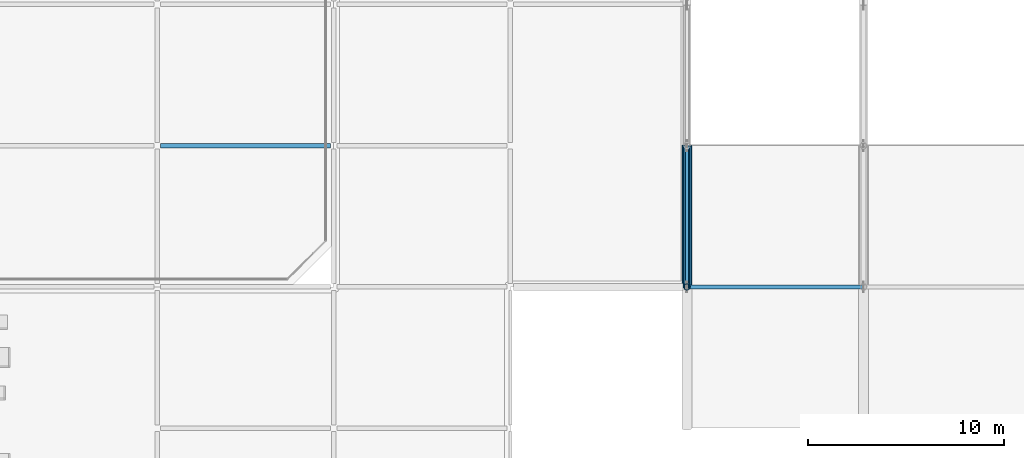
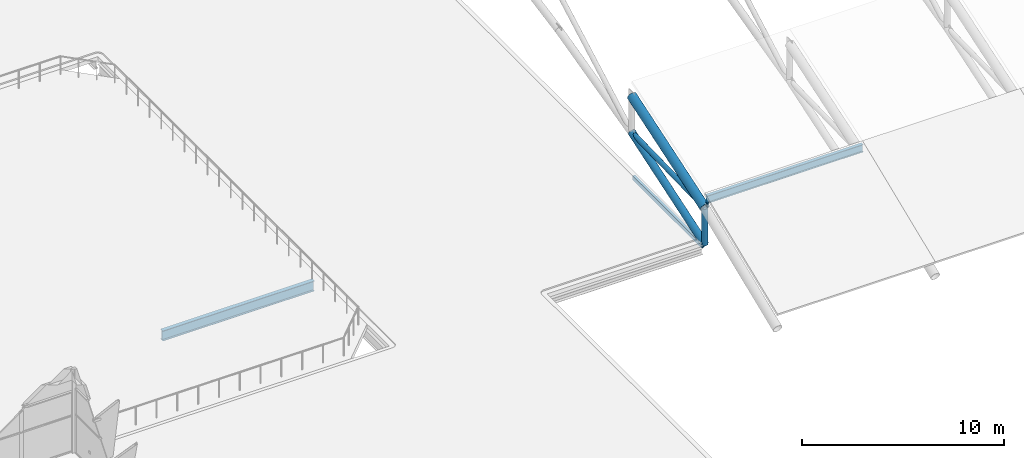
# One storey, part 44 of 78: 5 members, 2 beams.
"""IFC4 building model written with IfcOpenShell, lengths in metres."""

from ifc_helpers import new_model, si_unit, direction, frame, origin, origin_2d, place, context, subcontext, project, spatial, hollow_rectangle, hollow_circle, i_section, extrude, material, material_profile, profile_set, type_object, element, save


model = new_model("IFC4")

# Units and contexts
model_context = context("Model", 3, precision=1e-05, world=origin(), true_north=direction((0.0, 1.0)))
body_context = subcontext(model_context, "Body", "Model", "MODEL_VIEW")
ifc_project = project(units=[si_unit("LENGTHUNIT", "METRE"), si_unit("AREAUNIT", "SQUARE_METRE"), si_unit("VOLUMEUNIT", "CUBIC_METRE"), si_unit("PLANEANGLEUNIT", "RADIAN"), si_unit("MASSUNIT", "GRAM", prefix="KILO")], contexts=[model_context])

# Site, building, storey
site_placement = place(None, origin())
site = spatial("IfcSite", under=ifc_project, at=site_placement, CompositionType="ELEMENT")
building_placement = place(site_placement, origin())
building = spatial("IfcBuilding", under=site, at=building_placement, Name="Celestram Park Convention Centre", CompositionType="ELEMENT")
storey_placement = place(building_placement, frame((0.0, 0.0, 19.800048828125)))
storey = spatial("IfcBuildingStorey", under=building, at=storey_placement, Name="L04", CompositionType="ELEMENT", Elevation=19.800048828125)

# Beam
ifc_material_1 = material(Name="Steel ASTM A992 Grade 50", Category="steel")
ifc_material_profile_1 = material_profile(ifc_material_1, i_section(OverallWidth=0.22900390625, OverallDepth=0.612060546875, WebThickness=0.011962890625, FlangeThickness=0.01953125, at=origin_2d()), Name="W24X84")
ifc_profile_set_1 = profile_set([ifc_material_profile_1], Name="Steel ASTM A992 Grade 50")
beam_type_1 = type_object("IfcBeamType", Name="STR-BM-W24X84", PredefinedType="BEAM", material=ifc_profile_set_1)
beam_1_placement = place(storey_placement, frame((126.173095703125, 129.60009765625, -0.60595703125), z_axis=(1.0, 0.0, 0.0), x_axis=(0.0, 1.0, 0.0)))
element("IfcBeam", 1, at=beam_1_placement, inside=storey, type_object=beam_type_1, Name="Primary X-girder BG-L04-0168", PredefinedType="BEAM", context=body_context, shape_type="SweptSolid", body=[
    extrude(i_section(OverallWidth=0.22900390625, OverallDepth=0.612060546875, WebThickness=0.011962890625, FlangeThickness=0.01953125, at=origin_2d()), origin(), (0.0, 0.0, 1.0), 8.65380859375),
])

# Members
ifc_material_2 = material(Name="Steel ASTM A500 Grade C", Category="steel")
ifc_material_profile_2 = material_profile(ifc_material_2, hollow_circle(Radius=0.136474609375, WallThickness=0.010009765625, at=origin_2d()), Name="CHS273X10")
ifc_profile_set_2 = profile_set([ifc_material_profile_2], Name="Steel ASTM A500 Grade C")
member_type_1 = type_object("IfcMemberType", Name="STR-BRC-CHS273", PredefinedType="BRACE", material=ifc_profile_set_2)
member_1_placement = place(storey_placement, frame((153.0, 122.39990234375, 2.058837890625), z_axis=(0.0, 0.999715212241, 0.023864082104), x_axis=(-1.0, 0.0, 0.0)))
element("IfcMember", 2, at=member_1_placement, inside=storey, type_object=member_type_1, Name="V2 arch web diagonal", PredefinedType="BRACE", context=body_context, shape_type="SweptSolid", body=[
    extrude(hollow_circle(Radius=0.136474609375, WallThickness=0.010009765625, at=origin_2d()), origin(), (0.0, 0.0, 1.0), 7.2021484375),
])
ifc_material_profile_3 = material_profile(ifc_material_2, hollow_circle(Radius=0.202880859375, WallThickness=0.013916015625, at=origin_2d()), Name="CHS406X14")
ifc_profile_set_3 = profile_set([ifc_material_profile_3], Name="Steel ASTM A500 Grade C")
member_type_2 = type_object("IfcMemberType", Name="STR-CHD-CHS406", PredefinedType="CHORD", material=ifc_profile_set_3)
member_2_placement = place(storey_placement, frame((153.0, 122.39990234375, -0.14111328125), z_axis=(0.0, 0.94979489364, 0.312873233138), x_axis=(-1.0, 0.0, 0.0)))
element("IfcMember", 3, at=member_2_placement, inside=storey, type_object=member_type_2, Name="V2 arch bottom chord", PredefinedType="CHORD", context=body_context, shape_type="SweptSolid", body=[
    extrude(hollow_circle(Radius=0.202880859375, WallThickness=0.013916015625, at=origin_2d()), origin(), (0.0, 0.0, 1.0), 7.580810546875),
])
ifc_material_profile_4 = material_profile(ifc_material_2, hollow_circle(Radius=0.25390625, WallThickness=0.01611328125, at=origin_2d()), Name="CHS508X16")
ifc_profile_set_4 = profile_set([ifc_material_profile_4], Name="Steel ASTM A500 Grade C")
member_type_3 = type_object("IfcMemberType", Name="STR-CHD-CHS508", PredefinedType="CHORD", material=ifc_profile_set_4)
member_3_placement = place(storey_placement, frame((153.0, 122.39990234375, 2.058837890625), z_axis=(0.0, 0.94979489364, 0.312873233138), x_axis=(-1.0, 0.0, 0.0)))
element("IfcMember", 4, at=member_3_placement, inside=storey, type_object=member_type_3, Name="V2 arch top chord", PredefinedType="CHORD", context=body_context, shape_type="SweptSolid", body=[
    extrude(hollow_circle(Radius=0.25390625, WallThickness=0.01611328125, at=origin_2d()), origin(), (0.0, 0.0, 1.0), 7.580810546875),
])
ifc_material_profile_5 = material_profile(ifc_material_1, i_section(OverallWidth=0.19091796875, OverallDepth=0.45703125, WebThickness=0.009033203125, FlangeThickness=0.014404296875, at=origin_2d()), Name="W18X50")
ifc_profile_set_5 = profile_set([ifc_material_profile_5], Name="Steel ASTM A992 Grade 50")
member_type_4 = type_object("IfcMemberType", Name="STR-RFT-W18X50", PredefinedType="RAFTER", material=ifc_profile_set_5)
member_4_placement = place(storey_placement, frame((153.080078125, 122.39990234375, 2.541259765625), z_axis=(1.0, 0.0, 0.0), x_axis=(0.0, 1.0, 0.0)))
element("IfcMember", 5, at=member_4_placement, inside=storey, type_object=member_type_4, Name="V2 roof purlin", PredefinedType="RAFTER", context=body_context, shape_type="SweptSolid", body=[
    extrude(i_section(OverallWidth=0.19091796875, OverallDepth=0.45703125, WebThickness=0.009033203125, FlangeThickness=0.014404296875, at=origin_2d()), origin(), (0.0, 0.0, 1.0), 8.919921875),
])

# Beam
ifc_material_profile_6 = material_profile(ifc_material_2, hollow_rectangle(XDim=0.14990234375, YDim=0.25, WallThickness=0.010009765625, at=origin_2d()), Name="HSS250X150X10")
ifc_profile_set_6 = profile_set([ifc_material_profile_6], Name="Steel ASTM A500 Grade C")
beam_type_2 = type_object("IfcBeamType", Name="STR-SPN-HSS250X150", PredefinedType="SPANDREL", material=ifc_profile_set_6)
beam_2_placement = place(storey_placement, frame((153.0, 122.597900390625, -0.364990234375), z_axis=(0.0, 1.0, 0.0), x_axis=(-1.0, 0.0, 0.0)))
element("IfcBeam", 6, at=beam_2_placement, inside=storey, type_object=beam_type_2, Name="Primary Y-girder BG-L04-0230", PredefinedType="SPANDREL", context=body_context, shape_type="SweptSolid", body=[
    extrude(hollow_rectangle(XDim=0.14990234375, YDim=0.25, WallThickness=0.010009765625, at=origin_2d()), origin(), (0.0, 0.0, 1.0), 6.80419921875),
])

# Member
ifc_material_profile_7 = material_profile(ifc_material_2, hollow_circle(Radius=0.162109375, WallThickness=0.011962890625, at=origin_2d()), Name="CHS324X12")
ifc_profile_set_7 = profile_set([ifc_material_profile_7], Name="Steel ASTM A500 Grade C")
member_type_5 = type_object("IfcMemberType", Name="STR-STR-CHS324", PredefinedType="STRUT", material=ifc_profile_set_7)
member_5_placement = place(storey_placement, frame((153.0, 122.39990234375, -0.14111328125), z_axis=(0.0, 0.0, 1.0), x_axis=(1.0, 0.0, 0.0)))
element("IfcMember", 7, at=member_5_placement, inside=storey, type_object=member_type_5, Name="V2 arch vertical strut", PredefinedType="STRUT", context=body_context, shape_type="SweptSolid", body=[
    extrude(hollow_circle(Radius=0.162109375, WallThickness=0.011962890625, at=origin_2d()), origin(), (0.0, 0.0, 1.0), 2.199951171875),
])

save(model, "model.ifc")
